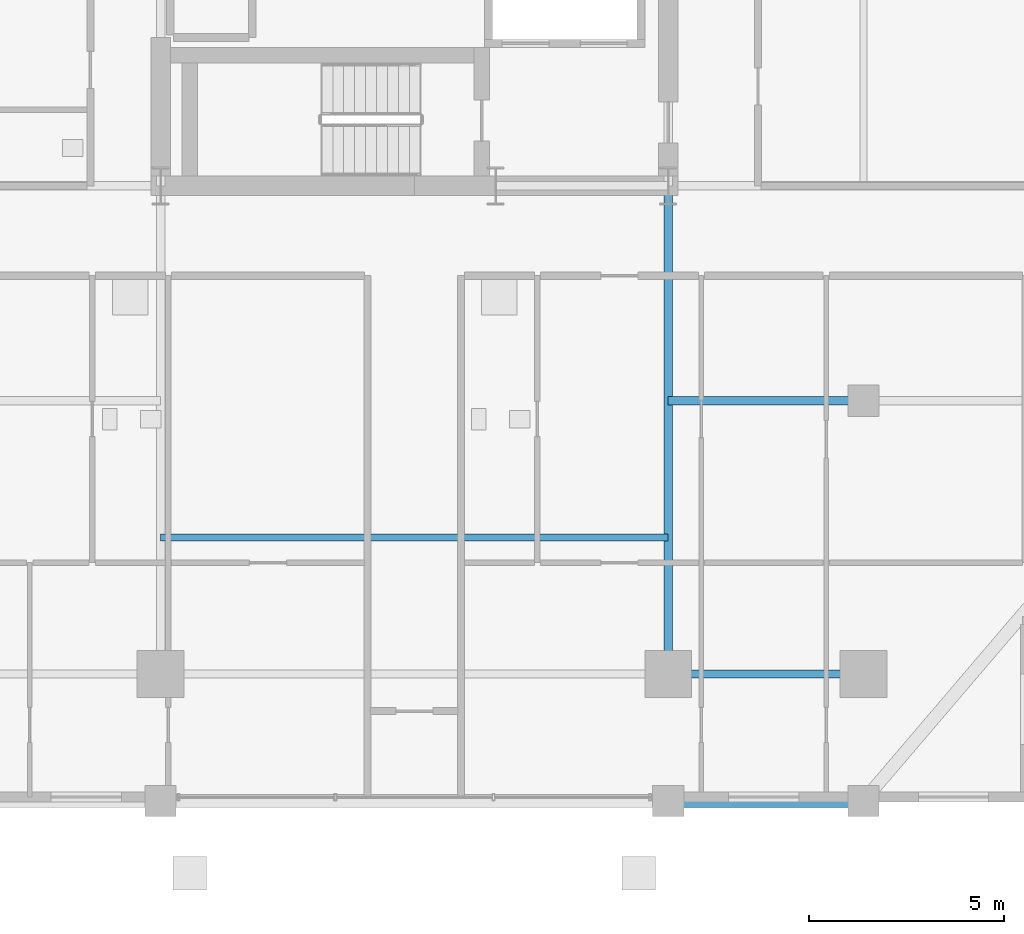
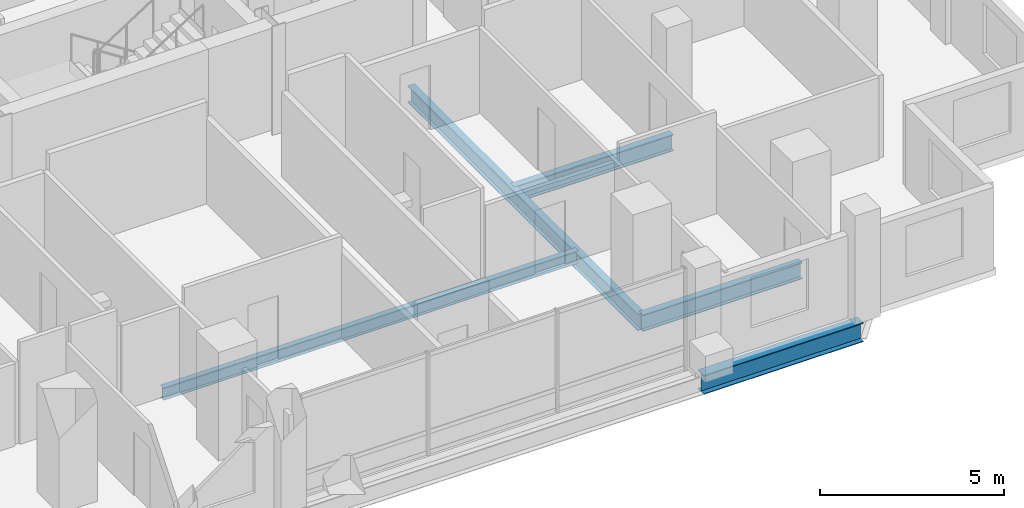
# One storey, part 3 of 20: 5 beams.
"""IFC4 building model written with IfcOpenShell, lengths in metres."""

from ifc_helpers import new_model, si_unit, direction, frame, origin, origin_2d, place, context, subcontext, project, spatial, i_section, extrude, material, material_profile, profile_set, type_object, element, save


model = new_model("IFC4")

# Units and contexts
model_context = context("Model", 3, precision=1e-05, world=origin(), true_north=direction((0.0, 1.0)))
body_context = subcontext(model_context, "Body", "Model", "MODEL_VIEW")
ifc_project = project(units=[si_unit("LENGTHUNIT", "METRE"), si_unit("AREAUNIT", "SQUARE_METRE"), si_unit("VOLUMEUNIT", "CUBIC_METRE"), si_unit("PLANEANGLEUNIT", "RADIAN"), si_unit("MASSUNIT", "GRAM", prefix="KILO")], contexts=[model_context])

# Site, building, storey
site_placement = place(None, origin())
site = spatial("IfcSite", under=ifc_project, at=site_placement, CompositionType="ELEMENT")
building_placement = place(site_placement, origin())
building = spatial("IfcBuilding", under=site, at=building_placement, Name="Barlavira Tower and Art Museum", CompositionType="ELEMENT")
storey_placement = place(building_placement, frame((0.0, 0.0, 136.800048828125)))
storey = spatial("IfcBuildingStorey", under=building, at=storey_placement, Name="L34", CompositionType="ELEMENT", Elevation=136.800048828125)

# Beams
ifc_material = material(Name="Steel S355", Category="steel")
ifc_material_profile_1 = material_profile(ifc_material, i_section(OverallWidth=0.327880859375, OverallDepth=0.62890625, WebThickness=0.013916015625, FlangeThickness=0.021484375, at=origin_2d()), Name="W610x174.0")
ifc_profile_set_1 = profile_set([ifc_material_profile_1], Name="Steel S355")
beam_type_1 = type_object("IfcBeamType", Name="Perimeter Spandrel Edge Beam W610x174 Steel S355", PredefinedType="SPANDREL", material=ifc_profile_set_1)
beam_1_placement = place(storey_placement, frame((6.5, -23.25, -0.53466796875), z_axis=(1.0, 0.0, 0.0), x_axis=(0.0, 1.0, 0.0)))
element("IfcBeam", 1, at=beam_1_placement, inside=storey, type_object=beam_type_1, Name="L34 Spandrel 3", PredefinedType="SPANDREL", context=body_context, shape_type="SweptSolid", body=[
    extrude(i_section(OverallWidth=0.327880859375, OverallDepth=0.62890625, WebThickness=0.013916015625, FlangeThickness=0.021484375, at=origin_2d()), origin(), (0.0, 0.0, 1.0), 5.0),
])
ifc_material_profile_2 = material_profile(ifc_material, i_section(OverallWidth=0.214111328125, OverallDepth=0.549072265625, WebThickness=0.0146484375, FlangeThickness=0.023681640625, at=origin_2d()), Name="W530x138.0")
ifc_profile_set_2 = profile_set([ifc_material_profile_2], Name="Steel S355")
beam_type_2 = type_object("IfcBeamType", Name="Zone 1 Primary Floor Girder W530x138 Steel S355", PredefinedType="BEAM", material=ifc_profile_set_2)
beam_2_placement = place(storey_placement, frame((6.5, -20.0, -0.49462890625), z_axis=(1.0, 0.0, 0.0), x_axis=(0.0, 1.0, 0.0)))
element("IfcBeam", 2, at=beam_2_placement, inside=storey, type_object=beam_type_2, Name="L34 Girder M-S3", PredefinedType="BEAM", context=body_context, shape_type="SweptSolid", body=[
    extrude(i_section(OverallWidth=0.214111328125, OverallDepth=0.549072265625, WebThickness=0.0146484375, FlangeThickness=0.023681640625, at=origin_2d()), origin(), (0.0, 0.0, 1.0), 5.0),
])
beam_3_placement = place(storey_placement, frame((6.5, -20.0, -0.49462890625), z_axis=(0.0, 1.0, 0.0), x_axis=(-1.0, 0.0, 0.0)))
element("IfcBeam", 3, at=beam_3_placement, inside=storey, type_object=beam_type_2, Name="L34 Girder R-S2", PredefinedType="BEAM", context=body_context, shape_type="SweptSolid", body=[
    extrude(i_section(OverallWidth=0.214111328125, OverallDepth=0.549072265625, WebThickness=0.0146484375, FlangeThickness=0.023681640625, at=origin_2d()), origin(), (0.0, 0.0, 1.0), 12.5),
])
beam_4_placement = place(storey_placement, frame((6.5, -13.0, -0.49462890625), z_axis=(1.0, 0.0, 0.0), x_axis=(0.0, 1.0, 0.0)))
element("IfcBeam", 4, at=beam_4_placement, inside=storey, type_object=beam_type_2, Name="L34 Girder I-S3", PredefinedType="BEAM", context=body_context, shape_type="SweptSolid", body=[
    extrude(i_section(OverallWidth=0.214111328125, OverallDepth=0.549072265625, WebThickness=0.0146484375, FlangeThickness=0.023681640625, at=origin_2d()), origin(), (0.0, 0.0, 1.0), 5.0),
])
ifc_material_profile_3 = material_profile(ifc_material, i_section(OverallWidth=0.179931640625, OverallDepth=0.4130859375, WebThickness=0.009765625, FlangeThickness=0.01611328125, at=origin_2d()), Name="W410x75.0")
ifc_profile_set_3 = profile_set([ifc_material_profile_3], Name="Steel S355")
beam_type_3 = type_object("IfcBeamType", Name="Zone 2 Composite Floor Joist W410x75 Steel S355", PredefinedType="JOIST", material=ifc_profile_set_3)
beam_5_placement = place(storey_placement, frame((-6.5, -16.5, -0.426513671875), z_axis=(1.0, 0.0, 0.0), x_axis=(0.0, 1.0, 0.0)))
element("IfcBeam", 5, at=beam_5_placement, inside=storey, type_object=beam_type_3, Name="L34 Joist C1", PredefinedType="JOIST", context=body_context, shape_type="SweptSolid", body=[
    extrude(i_section(OverallWidth=0.179931640625, OverallDepth=0.4130859375, WebThickness=0.009765625, FlangeThickness=0.01611328125, at=origin_2d()), origin(), (0.0, 0.0, 1.0), 13.0),
])

save(model, "model.ifc")
